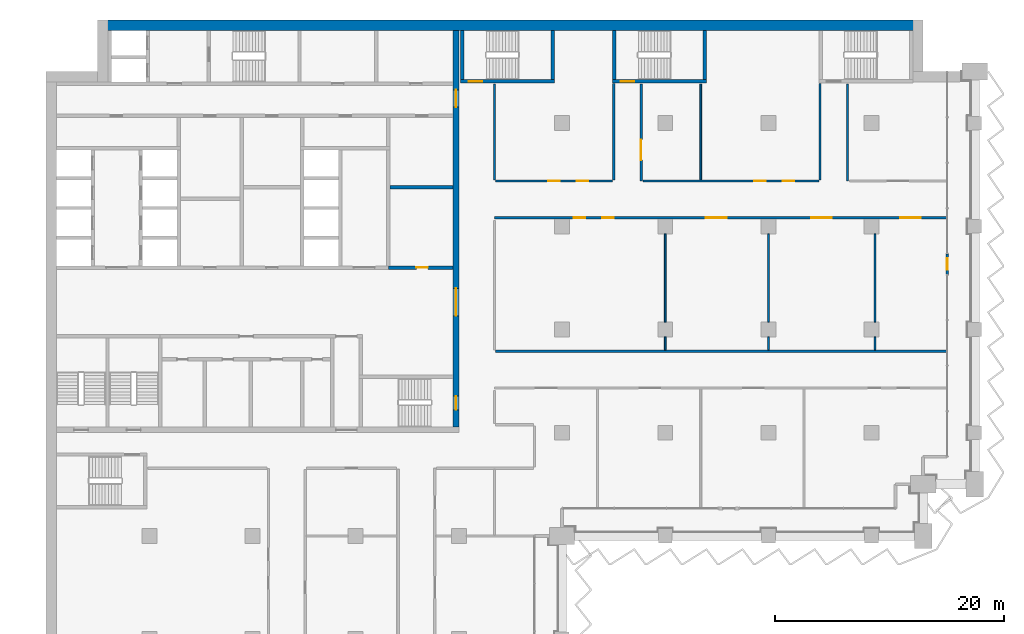
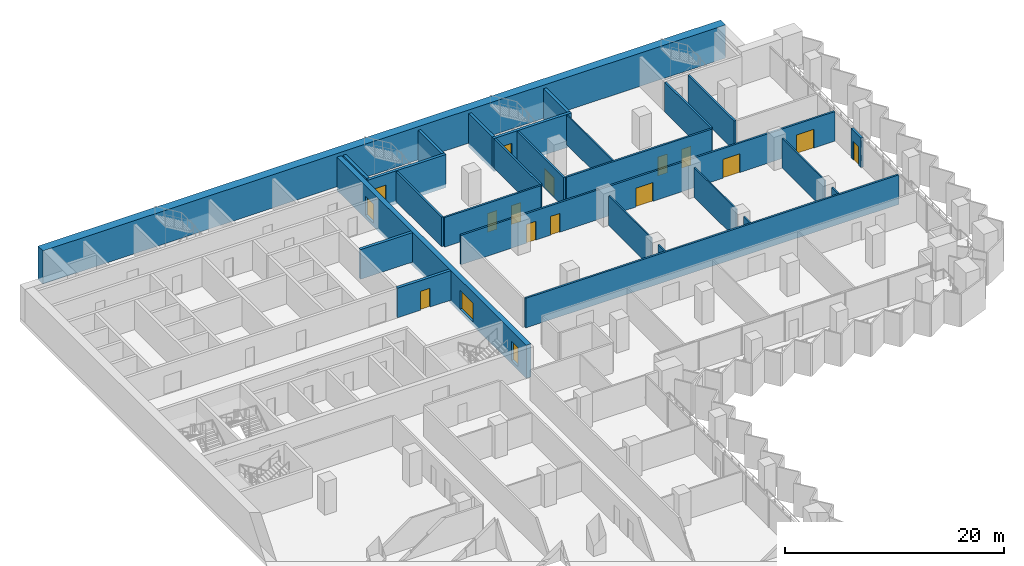
# One storey, part 14 of 22: 27 walls, 17 doors, 17 openings.
"""IFC4 building model written with IfcOpenShell, lengths in metres."""

from ifc_helpers import new_model, si_unit, direction, frame, frame_2d, origin, place, context, subcontext, project, spatial, rectangle, extrude, material, layer, layer_set, type_object, element, fill, save


model = new_model("IFC4")

# Units and contexts
model_context = context("Model", 3, precision=1e-05, world=origin(), true_north=direction((0.0, 1.0)))
body_context = subcontext(model_context, "Body", "Model", "MODEL_VIEW")
ifc_project = project(units=[si_unit("LENGTHUNIT", "METRE"), si_unit("AREAUNIT", "SQUARE_METRE"), si_unit("VOLUMEUNIT", "CUBIC_METRE"), si_unit("PLANEANGLEUNIT", "RADIAN"), si_unit("MASSUNIT", "GRAM", prefix="KILO")], contexts=[model_context])

# Site, building, storey
site_placement = place(None, origin())
site = spatial("IfcSite", under=ifc_project, at=site_placement, CompositionType="ELEMENT")
building_placement = place(site_placement, origin())
building = spatial("IfcBuilding", under=site, at=building_placement, Name="Hunhe Ridgeline Campus", CompositionType="ELEMENT")
storey_placement = place(building_placement, frame((0.0, 0.0, 92.199951171875)))
storey = spatial("IfcBuildingStorey", under=building, at=storey_placement, Name="L22", CompositionType="ELEMENT", Elevation=92.199951171875)

# Wall, opening, door
ifc_material_1 = material(Name="Masonry concrete blockwork", Category="masonry")
ifc_layer_1 = layer(ifc_material_1, 0.300048828125)
ifc_layer_set_1 = layer_set([ifc_layer_1], Name="Core room partition 300 concrete block")
wall_type_1 = type_object("IfcWallType", Name="Core room partition 300 concrete block", PredefinedType="PARTITIONING", material=ifc_layer_set_1)
wall_1_placement = place(storey_placement, frame((29.85009765625, 77.39990234375, 0.0), z_axis=(0.0, 0.0, 1.0), x_axis=(1.0, 0.0, 0.0)))
wall_1 = element("IfcWall", 1, at=wall_1_placement, inside=storey, type_object=wall_type_1, Name="L22 core partition 13", PredefinedType="PARTITIONING", context=body_context, shape_type="SweptSolid", body=[
    extrude(rectangle(XDim=5.64990234375, YDim=0.300048828125, at=frame_2d((2.824951171875, 0.0))), origin(), (0.0, 0.0, 1.0), 3.300048828125),
])
opening_1_placement = place(wall_1_placement, frame((2.449951171875, 0.0, 0.0)))
opening_1 = element("IfcOpeningElement", 2, at=opening_1_placement, cuts=wall_1, Name="Opening CD32", PredefinedType="OPENING", context=body_context, shape_type="SweptSolid", body=[
    extrude(rectangle(XDim=1.0, YDim=2.10009765625, at=frame_2d((0.5, 1.050048828125))), frame((0.0, 0.14990234375, 0.0), z_axis=(0.0, -1.0, 0.0), x_axis=(1.0, 0.0, 0.0)), (0.0, 0.0, 1.0), 0.300048828125),
])
ifc_material_2 = material(Name="Solid core timber door leaf", Category="wood")
door_type_1 = type_object("IfcDoorType", Name="Timber door 1000x2100", OperationType="SINGLE_SWING_LEFT", PredefinedType="DOOR", material=ifc_material_2)
door_1_placement = place(opening_1_placement, origin())
door_1 = element("IfcDoor", 3, at=door_1_placement, inside=storey, type_object=door_type_1, Name="L22 door ES0", OperationType="SINGLE_SWING_RIGHT", OverallHeight=2.10009765625, OverallWidth=1.0, PredefinedType="DOOR", context=body_context, shape_type="SweptSolid", body=[
    extrude(rectangle(XDim=1.0, YDim=2.10009765625, at=frame_2d((0.5, 1.050048828125))), frame((0.0, 0.02490234375, 0.0), z_axis=(0.0, -1.0, 0.0), x_axis=(1.0, 0.0, 0.0)), (0.0, 0.0, 1.0), 0.050048828125),
])
fill(opening_1, door_1)

# Wall
wall_2_placement = place(storey_placement, frame((30.0, 84.39990234375, 0.0), z_axis=(0.0, 0.0, 1.0), x_axis=(1.0, 0.0, 0.0)))
element("IfcWall", 4, at=wall_2_placement, inside=storey, type_object=wall_type_1, Name="L22 core partition 22", PredefinedType="PARTITIONING", context=body_context, shape_type="SweptSolid", body=[
    extrude(rectangle(XDim=5.5, YDim=0.300048828125, at=frame_2d((2.75, 0.0))), origin(), (0.0, 0.0, 1.0), 3.300048828125),
])

# Wall, openings, doors
ifc_material_3 = material(Name="Concrete C80", Category="concrete")
ifc_layer_2 = layer(ifc_material_3, 0.5)
ifc_layer_set_2 = layer_set([ifc_layer_2], Name="Core wall 500 reinforced concrete C80")
wall_type_2 = type_object("IfcWallType", Name="Core wall 500 reinforced concrete C80", PredefinedType="SOLIDWALL", material=ifc_layer_set_2)
wall_3_placement = place(storey_placement, frame((35.75, 63.5, -0.39990234375), z_axis=(0.0, 0.0, 1.0), x_axis=(0.0, 1.0, 0.0)))
wall_3 = element("IfcWall", 5, at=wall_3_placement, inside=storey, type_object=wall_type_2, Name="L22 core wall 61", PredefinedType="SOLIDWALL", context=body_context, shape_type="SweptSolid", body=[
    extrude(rectangle(XDim=34.60009765625, YDim=0.5, at=frame_2d((17.300048828125, 0.0))), origin(), (0.0, 0.0, 1.0), 3.699951171875),
])
opening_2_placement = place(wall_3_placement, frame((9.699951171875, 0.0, 0.39990234375)))
opening_2 = element("IfcOpeningElement", 6, at=opening_2_placement, cuts=wall_3, Name="Opening CD4", PredefinedType="OPENING", context=body_context, shape_type="SweptSolid", body=[
    extrude(rectangle(XDim=2.39990234375, YDim=2.10009765625, at=frame_2d((1.199951171875, 1.050048828125))), frame((0.0, 0.25, 0.0), z_axis=(0.0, -1.0, 0.0), x_axis=(1.0, 0.0, 0.0)), (0.0, 0.0, 1.0), 0.5),
])
opening_3_placement = place(wall_3_placement, frame((27.89990234375, 0.0, 0.39990234375)))
opening_3 = element("IfcOpeningElement", 7, at=opening_3_placement, cuts=wall_3, Name="Opening CD5", PredefinedType="OPENING", context=body_context, shape_type="SweptSolid", body=[
    extrude(rectangle(XDim=1.5, YDim=2.10009765625, at=frame_2d((0.75, 1.050048828125))), frame((0.0, 0.25, 0.0), z_axis=(0.0, -1.0, 0.0), x_axis=(1.0, 0.0, 0.0)), (0.0, 0.0, 1.0), 0.5),
])
opening_4_placement = place(wall_3_placement, frame((1.5, 0.0, 0.39990234375)))
opening_4 = element("IfcOpeningElement", 8, at=opening_4_placement, cuts=wall_3, Name="Opening CD15", PredefinedType="OPENING", context=body_context, shape_type="SweptSolid", body=[
    extrude(rectangle(XDim=1.199951171875, YDim=2.10009765625, at=frame_2d((0.60009765625, 1.050048828125))), frame((0.0, 0.25, 0.0), z_axis=(0.0, -1.0, 0.0), x_axis=(1.0, 0.0, 0.0)), (0.0, 0.0, 1.0), 0.5),
])
ifc_material_4 = material(Name="Anodised aluminium and glass", Category="aluminium")
door_type_2 = type_object("IfcDoorType", Name="Glazed double door 2400x2100", OperationType="DOUBLE_DOOR_SINGLE_SWING", PredefinedType="DOOR", material=ifc_material_4)
door_2_placement = place(opening_2_placement, frame((2.39990234375, 0.0, 0.0), z_axis=(0.0, 0.0, 1.0), x_axis=(-1.0, 0.0, 0.0)))
door_2 = element("IfcDoor", 9, at=door_2_placement, inside=storey, type_object=door_type_2, Name="L22 door HALL-FLOOR", OperationType="DOUBLE_DOOR_SINGLE_SWING", OverallHeight=2.10009765625, OverallWidth=2.39990234375, PredefinedType="DOOR", context=body_context, shape_type="SweptSolid", body=[
    extrude(rectangle(XDim=2.39990234375, YDim=2.10009765625, at=frame_2d((1.199951171875, 1.050048828125))), frame((0.0, 0.02490234375, 0.0), z_axis=(0.0, -1.0, 0.0), x_axis=(1.0, 0.0, 0.0)), (0.0, 0.0, 1.0), 0.050048828125),
])
fill(opening_2, door_2)
ifc_material_5 = material(Name="Hollow metal fire door leaf")
door_type_3 = type_object("IfcDoorType", Name="Stair door 1200x2100 FD60", OperationType="SINGLE_SWING_LEFT", PredefinedType="DOOR", material=ifc_material_5)
door_3_placement = place(opening_4_placement, frame((1.199951171875, 0.0, 0.0), z_axis=(0.0, 0.0, 1.0), x_axis=(-1.0, 0.0, 0.0)))
door_3 = element("IfcDoor", 10, at=door_3_placement, inside=storey, type_object=door_type_3, Name="L22 door S2-FLOOR", OperationType="SINGLE_SWING_RIGHT", OverallHeight=2.10009765625, OverallWidth=1.199951171875, PredefinedType="DOOR", context=body_context, shape_type="SweptSolid", body=[
    extrude(rectangle(XDim=1.199951171875, YDim=2.10009765625, at=frame_2d((0.60009765625, 1.050048828125))), frame((0.0, 0.02490234375, 0.0), z_axis=(0.0, -1.0, 0.0), x_axis=(1.0, 0.0, 0.0)), (0.0, 0.0, 1.0), 0.050048828125),
])
fill(opening_4, door_3)
door_type_4 = type_object("IfcDoorType", Name="Timber door 1500x2100", OperationType="SINGLE_SWING_LEFT", PredefinedType="DOOR", material=ifc_material_2)
door_4_placement = place(opening_3_placement, frame((1.5, 0.0, 0.0), z_axis=(0.0, 0.0, 1.0), x_axis=(-1.0, 0.0, 0.0)))
door_4 = element("IfcDoor", 11, at=door_4_placement, inside=storey, type_object=door_type_4, Name="L22 door C1-FLOOR", OperationType="SINGLE_SWING_RIGHT", OverallHeight=2.10009765625, OverallWidth=1.5, PredefinedType="DOOR", context=body_context, shape_type="SweptSolid", body=[
    extrude(rectangle(XDim=1.5, YDim=2.10009765625, at=frame_2d((0.75, 1.050048828125))), frame((0.0, 0.02490234375, 0.0), z_axis=(0.0, -1.0, 0.0), x_axis=(1.0, 0.0, 0.0)), (0.0, 0.0, 1.0), 0.050048828125),
])
fill(opening_3, door_4)

# Wall
ifc_material_6 = material(Name="Gypsum board partition")
ifc_layer_3 = layer(ifc_material_6, 0.199951171875)
ifc_layer_set_3 = layer_set([ifc_layer_3], Name="Corridor partition 200 gypsum board on steel studs")
wall_type_3 = type_object("IfcWallType", Name="Corridor partition 200 gypsum board on steel studs", PredefinedType="PARTITIONING", material=ifc_layer_set_3)
wall_4_placement = place(storey_placement, frame((39.199951171875, 70.10009765625, 0.0), z_axis=(0.0, 0.0, 1.0), x_axis=(1.0, 0.0, 0.0)))
element("IfcWall", 12, at=wall_4_placement, inside=storey, type_object=wall_type_3, Name="F-L22-wall-039", PredefinedType="PARTITIONING", context=body_context, shape_type="SweptSolid", body=[
    extrude(rectangle(XDim=39.344970703125, YDim=0.199951171875, at=frame_2d((19.67236328125, 0.0))), origin(), (0.0, 0.0, 1.0), 3.300048828125),
])

# Wall, openings, doors
wall_5_placement = place(storey_placement, frame((78.544921875, 81.75, 0.0), z_axis=(0.0, 0.0, 1.0), x_axis=(-1.0, 0.0, 0.0)))
wall_5 = element("IfcWall", 13, at=wall_5_placement, inside=storey, type_object=wall_type_3, Name="F-L22-wall-040", PredefinedType="PARTITIONING", context=body_context, shape_type="SweptSolid", body=[
    extrude(rectangle(XDim=39.44482421875, YDim=0.199951171875, at=frame_2d((19.722412109375, 0.0))), origin(), (0.0, 0.0, 1.0), 3.300048828125),
])
opening_5_placement = place(wall_5_placement, frame((31.533447265625, 0.0, 0.0)))
opening_5 = element("IfcOpeningElement", 14, at=opening_5_placement, cuts=wall_5, Name="Opening RD1-027", PredefinedType="OPENING", context=body_context, shape_type="SweptSolid", body=[
    extrude(rectangle(XDim=1.0, YDim=2.10009765625, at=frame_2d((0.5, 1.050048828125))), frame((0.0, 0.10009765625, 0.0), z_axis=(0.0, -1.0, 0.0), x_axis=(1.0, 0.0, 0.0)), (0.0, 0.0, 1.0), 0.199951171875),
])
opening_6_placement = place(wall_5_placement, frame((29.033447265625, 0.0, 0.0)))
opening_6 = element("IfcOpeningElement", 15, at=opening_6_placement, cuts=wall_5, Name="Opening RD1-028", PredefinedType="OPENING", context=body_context, shape_type="SweptSolid", body=[
    extrude(rectangle(XDim=1.0, YDim=2.10009765625, at=frame_2d((0.5, 1.050048828125))), frame((0.0, 0.10009765625, 0.0), z_axis=(0.0, -1.0, 0.0), x_axis=(1.0, 0.0, 0.0)), (0.0, 0.0, 1.0), 0.199951171875),
])
opening_7_placement = place(wall_5_placement, frame((19.199462890625, 0.0, 0.0)))
opening_7 = element("IfcOpeningElement", 16, at=opening_7_placement, cuts=wall_5, Name="Opening RD2-029", PredefinedType="OPENING", context=body_context, shape_type="SweptSolid", body=[
    extrude(rectangle(XDim=1.800048828125, YDim=2.10009765625, at=frame_2d((0.89990234375, 1.050048828125))), frame((0.0, 0.10009765625, 0.0), z_axis=(0.0, -1.0, 0.0), x_axis=(1.0, 0.0, 0.0)), (0.0, 0.0, 1.0), 0.199951171875),
])
opening_8_placement = place(wall_5_placement, frame((10.029052734375, 0.0, 0.0)))
opening_8 = element("IfcOpeningElement", 17, at=opening_8_placement, cuts=wall_5, Name="Opening RD2-030", PredefinedType="OPENING", context=body_context, shape_type="SweptSolid", body=[
    extrude(rectangle(XDim=1.800048828125, YDim=2.10009765625, at=frame_2d((0.89990234375, 1.050048828125))), frame((0.0, 0.10009765625, 0.0), z_axis=(0.0, -1.0, 0.0), x_axis=(1.0, 0.0, 0.0)), (0.0, 0.0, 1.0), 0.199951171875),
])
opening_9_placement = place(wall_5_placement, frame((2.240478515625, 0.0, 0.0)))
opening_9 = element("IfcOpeningElement", 18, at=opening_9_placement, cuts=wall_5, Name="Opening RD2-031", PredefinedType="OPENING", context=body_context, shape_type="SweptSolid", body=[
    extrude(rectangle(XDim=1.800048828125, YDim=2.10009765625, at=frame_2d((0.89990234375, 1.050048828125))), frame((0.0, 0.10009765625, 0.0), z_axis=(0.0, -1.0, 0.0), x_axis=(1.0, 0.0, 0.0)), (0.0, 0.0, 1.0), 0.199951171875),
])
ifc_material_7 = material(Name="Timber door leaf", Category="wood")
door_type_5 = type_object("IfcDoorType", Name="Double fire door 1800x2100 timber FD60", OperationType="DOUBLE_DOOR_SINGLE_SWING", PredefinedType="DOOR", material=ifc_material_7)
door_5_placement = place(opening_7_placement, origin())
door_5 = element("IfcDoor", 19, at=door_5_placement, inside=storey, type_object=door_type_5, Name="F-L22-door-029", OperationType="DOUBLE_DOOR_SINGLE_SWING", OverallHeight=2.10009765625, OverallWidth=1.800048828125, PredefinedType="DOOR", context=body_context, shape_type="SweptSolid", body=[
    extrude(rectangle(XDim=1.800048828125, YDim=2.10009765625, at=frame_2d((0.89990234375, 1.050048828125))), frame((0.0, 0.02490234375, 0.0), z_axis=(0.0, -1.0, 0.0), x_axis=(1.0, 0.0, 0.0)), (0.0, 0.0, 1.0), 0.050048828125),
])
fill(opening_7, door_5)
door_6_placement = place(opening_8_placement, origin())
door_6 = element("IfcDoor", 20, at=door_6_placement, inside=storey, type_object=door_type_5, Name="F-L22-door-030", OperationType="DOUBLE_DOOR_SINGLE_SWING", OverallHeight=2.10009765625, OverallWidth=1.800048828125, PredefinedType="DOOR", context=body_context, shape_type="SweptSolid", body=[
    extrude(rectangle(XDim=1.800048828125, YDim=2.10009765625, at=frame_2d((0.89990234375, 1.050048828125))), frame((0.0, 0.02490234375, 0.0), z_axis=(0.0, -1.0, 0.0), x_axis=(1.0, 0.0, 0.0)), (0.0, 0.0, 1.0), 0.050048828125),
])
fill(opening_8, door_6)
door_7_placement = place(opening_9_placement, origin())
door_7 = element("IfcDoor", 21, at=door_7_placement, inside=storey, type_object=door_type_5, Name="F-L22-door-031", OperationType="DOUBLE_DOOR_SINGLE_SWING", OverallHeight=2.10009765625, OverallWidth=1.800048828125, PredefinedType="DOOR", context=body_context, shape_type="SweptSolid", body=[
    extrude(rectangle(XDim=1.800048828125, YDim=2.10009765625, at=frame_2d((0.89990234375, 1.050048828125))), frame((0.0, 0.02490234375, 0.0), z_axis=(0.0, -1.0, 0.0), x_axis=(1.0, 0.0, 0.0)), (0.0, 0.0, 1.0), 0.050048828125),
])
fill(opening_9, door_7)
door_type_6 = type_object("IfcDoorType", Name="Single fire door 1000x2100 timber FD60", OperationType="NOTDEFINED", PredefinedType="DOOR", material=ifc_material_7)
door_8_placement = place(opening_5_placement, frame((1.0, 0.0, 0.0), z_axis=(0.0, 0.0, 1.0), x_axis=(-1.0, 0.0, 0.0)))
door_8 = element("IfcDoor", 22, at=door_8_placement, inside=storey, type_object=door_type_6, Name="F-L22-door-027", OperationType="SINGLE_SWING_LEFT", OverallHeight=2.10009765625, OverallWidth=1.0, PredefinedType="DOOR", context=body_context, shape_type="SweptSolid", body=[
    extrude(rectangle(XDim=1.0, YDim=2.10009765625, at=frame_2d((0.5, 1.050048828125))), frame((0.0, 0.02490234375, 0.0), z_axis=(0.0, -1.0, 0.0), x_axis=(1.0, 0.0, 0.0)), (0.0, 0.0, 1.0), 0.050048828125),
])
fill(opening_5, door_8)
door_9_placement = place(opening_6_placement, frame((1.0, 0.0, 0.0), z_axis=(0.0, 0.0, 1.0), x_axis=(-1.0, 0.0, 0.0)))
door_9 = element("IfcDoor", 23, at=door_9_placement, inside=storey, type_object=door_type_6, Name="F-L22-door-028", OperationType="SINGLE_SWING_RIGHT", OverallHeight=2.10009765625, OverallWidth=1.0, PredefinedType="DOOR", context=body_context, shape_type="SweptSolid", body=[
    extrude(rectangle(XDim=1.0, YDim=2.10009765625, at=frame_2d((0.5, 1.050048828125))), frame((0.0, 0.02490234375, 0.0), z_axis=(0.0, -1.0, 0.0), x_axis=(1.0, 0.0, 0.0)), (0.0, 0.0, 1.0), 0.050048828125),
])
fill(opening_6, door_9)

wall_6_placement = place(storey_placement, frame((39.199951171875, 84.949951171875, 0.0), z_axis=(0.0, 0.0, 1.0), x_axis=(1.0, 0.0, 0.0)))
wall_6 = element("IfcWall", 24, at=wall_6_placement, inside=storey, type_object=wall_type_3, Name="F-L22-wall-041", PredefinedType="PARTITIONING", context=body_context, shape_type="SweptSolid", body=[
    extrude(rectangle(XDim=10.199951171875, YDim=0.199951171875, at=frame_2d((5.10009765625, 0.0))), origin(), (0.0, 0.0, 1.0), 3.300048828125),
])
opening_10_placement = place(wall_6_placement, frame((4.60009765625, 0.0, 0.0)))
opening_10 = element("IfcOpeningElement", 25, at=opening_10_placement, cuts=wall_6, Name="Opening RD1-032", PredefinedType="OPENING", context=body_context, shape_type="SweptSolid", body=[
    extrude(rectangle(XDim=1.0, YDim=2.10009765625, at=frame_2d((0.5, 1.050048828125))), frame((0.0, 0.10009765625, 0.0), z_axis=(0.0, -1.0, 0.0), x_axis=(1.0, 0.0, 0.0)), (0.0, 0.0, 1.0), 0.199951171875),
])
opening_11_placement = place(wall_6_placement, frame((7.10009765625, 0.0, 0.0)))
opening_11 = element("IfcOpeningElement", 26, at=opening_11_placement, cuts=wall_6, Name="Opening RD1-033", PredefinedType="OPENING", context=body_context, shape_type="SweptSolid", body=[
    extrude(rectangle(XDim=1.0, YDim=2.10009765625, at=frame_2d((0.5, 1.050048828125))), frame((0.0, 0.10009765625, 0.0), z_axis=(0.0, -1.0, 0.0), x_axis=(1.0, 0.0, 0.0)), (0.0, 0.0, 1.0), 0.199951171875),
])
door_10_placement = place(opening_10_placement, frame((1.0, 0.0, 0.0), z_axis=(0.0, 0.0, 1.0), x_axis=(-1.0, 0.0, 0.0)))
door_10 = element("IfcDoor", 27, at=door_10_placement, inside=storey, type_object=door_type_6, Name="F-L22-door-032", OperationType="SINGLE_SWING_LEFT", OverallHeight=2.10009765625, OverallWidth=1.0, PredefinedType="DOOR", context=body_context, shape_type="SweptSolid", body=[
    extrude(rectangle(XDim=1.0, YDim=2.10009765625, at=frame_2d((0.5, 1.050048828125))), frame((0.0, 0.02490234375, 0.0), z_axis=(0.0, -1.0, 0.0), x_axis=(1.0, 0.0, 0.0)), (0.0, 0.0, 1.0), 0.050048828125),
])
fill(opening_10, door_10)
door_11_placement = place(opening_11_placement, frame((1.0, 0.0, 0.0), z_axis=(0.0, 0.0, 1.0), x_axis=(-1.0, 0.0, 0.0)))
door_11 = element("IfcDoor", 28, at=door_11_placement, inside=storey, type_object=door_type_6, Name="F-L22-door-033", OperationType="SINGLE_SWING_LEFT", OverallHeight=2.10009765625, OverallWidth=1.0, PredefinedType="DOOR", context=body_context, shape_type="SweptSolid", body=[
    extrude(rectangle(XDim=1.0, YDim=2.10009765625, at=frame_2d((0.5, 1.050048828125))), frame((0.0, 0.02490234375, 0.0), z_axis=(0.0, -1.0, 0.0), x_axis=(1.0, 0.0, 0.0)), (0.0, 0.0, 1.0), 0.050048828125),
])
fill(opening_11, door_11)

wall_7_placement = place(storey_placement, frame((52.081787109375, 84.949951171875, 0.0), z_axis=(0.0, 0.0, 1.0), x_axis=(1.0, 0.0, 0.0)))
wall_7 = element("IfcWall", 29, at=wall_7_placement, inside=storey, type_object=wall_type_3, Name="F-L22-wall-042", PredefinedType="PARTITIONING", context=body_context, shape_type="SweptSolid", body=[
    extrude(rectangle(XDim=15.318115234375, YDim=0.199951171875, at=frame_2d((7.6591796875, 0.0))), origin(), (0.0, 0.0, 1.0), 3.300048828125),
])
opening_12_placement = place(wall_7_placement, frame((9.670166015625, 0.0, 0.0)))
opening_12 = element("IfcOpeningElement", 30, at=opening_12_placement, cuts=wall_7, Name="Opening RD1-034", PredefinedType="OPENING", context=body_context, shape_type="SweptSolid", body=[
    extrude(rectangle(XDim=1.0, YDim=2.10009765625, at=frame_2d((0.5, 1.050048828125))), frame((0.0, 0.10009765625, 0.0), z_axis=(0.0, -1.0, 0.0), x_axis=(1.0, 0.0, 0.0)), (0.0, 0.0, 1.0), 0.199951171875),
])
opening_13_placement = place(wall_7_placement, frame((12.170166015625, 0.0, 0.0)))
opening_13 = element("IfcOpeningElement", 31, at=opening_13_placement, cuts=wall_7, Name="Opening RD1-035", PredefinedType="OPENING", context=body_context, shape_type="SweptSolid", body=[
    extrude(rectangle(XDim=1.0, YDim=2.10009765625, at=frame_2d((0.5, 1.050048828125))), frame((0.0, 0.10009765625, 0.0), z_axis=(0.0, -1.0, 0.0), x_axis=(1.0, 0.0, 0.0)), (0.0, 0.0, 1.0), 0.199951171875),
])
door_12_placement = place(opening_12_placement, frame((1.0, 0.0, 0.0), z_axis=(0.0, 0.0, 1.0), x_axis=(-1.0, 0.0, 0.0)))
door_12 = element("IfcDoor", 32, at=door_12_placement, inside=storey, type_object=door_type_6, Name="F-L22-door-034", OperationType="SINGLE_SWING_LEFT", OverallHeight=2.10009765625, OverallWidth=1.0, PredefinedType="DOOR", context=body_context, shape_type="SweptSolid", body=[
    extrude(rectangle(XDim=1.0, YDim=2.10009765625, at=frame_2d((0.5, 1.050048828125))), frame((0.0, 0.02490234375, 0.0), z_axis=(0.0, -1.0, 0.0), x_axis=(1.0, 0.0, 0.0)), (0.0, 0.0, 1.0), 0.050048828125),
])
fill(opening_12, door_12)
door_13_placement = place(opening_13_placement, frame((1.0, 0.0, 0.0), z_axis=(0.0, 0.0, 1.0), x_axis=(-1.0, 0.0, 0.0)))
door_13 = element("IfcDoor", 33, at=door_13_placement, inside=storey, type_object=door_type_6, Name="F-L22-door-035", OperationType="SINGLE_SWING_LEFT", OverallHeight=2.10009765625, OverallWidth=1.0, PredefinedType="DOOR", context=body_context, shape_type="SweptSolid", body=[
    extrude(rectangle(XDim=1.0, YDim=2.10009765625, at=frame_2d((0.5, 1.050048828125))), frame((0.0, 0.02490234375, 0.0), z_axis=(0.0, -1.0, 0.0), x_axis=(1.0, 0.0, 0.0)), (0.0, 0.0, 1.0), 0.050048828125),
])
fill(opening_13, door_13)

# Walls
wall_8_placement = place(storey_placement, frame((39.10009765625, 93.39599609375, 0.0), z_axis=(0.0, 0.0, 1.0), x_axis=(0.0, -1.0, 0.0)))
element("IfcWall", 34, at=wall_8_placement, inside=storey, type_object=wall_type_3, Name="F-L22-wall-058", PredefinedType="PARTITIONING", context=body_context, shape_type="SweptSolid", body=[
    extrude(rectangle(XDim=8.345947265625, YDim=0.199951171875, at=frame_2d((4.1728515625, 0.0))), origin(), (0.0, 0.0, 1.0), 3.300048828125),
])
wall_9_placement = place(storey_placement, frame((49.5, 85.050048828125, 0.0), z_axis=(0.0, 0.0, 1.0), x_axis=(0.0, 1.0, 0.0)))
element("IfcWall", 35, at=wall_9_placement, inside=storey, type_object=wall_type_3, Name="F-L22-wall-061", PredefinedType="PARTITIONING", context=body_context, shape_type="SweptSolid", body=[
    extrude(rectangle(XDim=8.419921875, YDim=0.199951171875, at=frame_2d((4.2099609375, 0.0))), origin(), (0.0, 0.0, 1.0), 3.300048828125),
])

# Wall, opening, door
wall_10_placement = place(storey_placement, frame((51.89990234375, 93.39599609375, 0.0), z_axis=(0.0, 0.0, 1.0), x_axis=(0.0, -1.0, 0.0)))
wall_10 = element("IfcWall", 36, at=wall_10_placement, inside=storey, type_object=wall_type_3, Name="F-L22-wall-062", PredefinedType="PARTITIONING", context=body_context, shape_type="SweptSolid", body=[
    extrude(rectangle(XDim=8.446044921875, YDim=0.199951171875, at=frame_2d((4.22314453125, 0.0))), origin(), (0.0, 0.0, 1.0), 3.300048828125),
])
opening_14_placement = place(wall_10_placement, frame((4.822998046875, 0.0, 0.0)))
opening_14 = element("IfcOpeningElement", 37, at=opening_14_placement, cuts=wall_10, Name="Opening RD2-037", PredefinedType="OPENING", context=body_context, shape_type="SweptSolid", body=[
    extrude(rectangle(XDim=1.800048828125, YDim=2.10009765625, at=frame_2d((0.89990234375, 1.050048828125))), frame((0.0, 0.10009765625, 0.0), z_axis=(0.0, -1.0, 0.0), x_axis=(1.0, 0.0, 0.0)), (0.0, 0.0, 1.0), 0.199951171875),
])
door_14_placement = place(opening_14_placement, origin())
door_14 = element("IfcDoor", 38, at=door_14_placement, inside=storey, type_object=door_type_5, Name="F-L22-door-037", OperationType="DOUBLE_DOOR_SINGLE_SWING", OverallHeight=2.10009765625, OverallWidth=1.800048828125, PredefinedType="DOOR", context=body_context, shape_type="SweptSolid", body=[
    extrude(rectangle(XDim=1.800048828125, YDim=2.10009765625, at=frame_2d((0.89990234375, 1.050048828125))), frame((0.0, 0.02490234375, 0.0), z_axis=(0.0, -1.0, 0.0), x_axis=(1.0, 0.0, 0.0)), (0.0, 0.0, 1.0), 0.050048828125),
])
fill(opening_14, door_14)

# Walls
wall_11_placement = place(storey_placement, frame((67.5, 85.050048828125, 0.0), z_axis=(0.0, 0.0, 1.0), x_axis=(0.0, 1.0, 0.0)))
element("IfcWall", 39, at=wall_11_placement, inside=storey, type_object=wall_type_3, Name="F-L22-wall-070", PredefinedType="PARTITIONING", context=body_context, shape_type="SweptSolid", body=[
    extrude(rectangle(XDim=8.419921875, YDim=0.199951171875, at=frame_2d((4.2099609375, 0.0))), origin(), (0.0, 0.0, 1.0), 3.300048828125),
])
wall_12_placement = place(storey_placement, frame((69.89990234375, 93.39599609375, 0.0), z_axis=(0.0, 0.0, 1.0), x_axis=(0.0, -1.0, 0.0)))
element("IfcWall", 40, at=wall_12_placement, inside=storey, type_object=wall_type_3, Name="F-L22-wall-071", PredefinedType="PARTITIONING", context=body_context, shape_type="SweptSolid", body=[
    extrude(rectangle(XDim=8.446044921875, YDim=0.199951171875, at=frame_2d((4.22314453125, 0.0))), origin(), (0.0, 0.0, 1.0), 3.300048828125),
])

# Wall, opening, door
ifc_material_8 = material(Name="Concrete C30", Category="concrete")
ifc_layer_4 = layer(ifc_material_8, 0.25)
ifc_layer_set_4 = layer_set([ifc_layer_4], Name="Loggia door pier wall 250 Concrete C30")
wall_type_4 = type_object("IfcWallType", Name="Loggia door pier wall 250 Concrete C30", PredefinedType="SOLIDWALL", material=ifc_layer_set_4)
wall_13_placement = place(storey_placement, frame((78.59912109375, 76.800537109375, 0.0), z_axis=(0.0, 0.0, 1.0), x_axis=(0.0, 1.0, 0.0)))
wall_13 = element("IfcWall", 41, at=wall_13_placement, inside=storey, type_object=wall_type_4, Name="Loggia door pier 5", PredefinedType="SOLIDWALL", context=body_context, shape_type="SweptSolid", body=[
    extrude(rectangle(XDim=1.800048828125, YDim=0.25, at=frame_2d((0.89990234375, 0.0))), origin(), (0.0, 0.0, 1.0), 3.300048828125),
])
opening_15_placement = place(wall_13_placement, frame((0.39990234375, 0.0, 0.0)))
opening_15 = element("IfcOpeningElement", 42, at=opening_15_placement, cuts=wall_13, Name="Opening BD207", PredefinedType="OPENING", context=body_context, shape_type="SweptSolid", body=[
    extrude(rectangle(XDim=1.0, YDim=2.10009765625, at=frame_2d((0.5, 1.050048828125))), frame((0.0, 0.125, 0.0), z_axis=(0.0, -1.0, 0.0), x_axis=(1.0, 0.0, 0.0)), (0.0, 0.0, 1.0), 0.25),
])
ifc_material_9 = material(Name="Aluminium 6063", Category="aluminium")
door_type_7 = type_object("IfcDoorType", Name="Loggia glazed door 1000x2100", OperationType="NOTDEFINED", PredefinedType="DOOR", material=ifc_material_9)
door_15_placement = place(opening_15_placement, frame((1.0, 0.0, 0.0), z_axis=(0.0, 0.0, 1.0), x_axis=(-1.0, 0.0, 0.0)))
door_15 = element("IfcDoor", 43, at=door_15_placement, inside=storey, type_object=door_type_7, Name="Loggia door BD207", OperationType="SINGLE_SWING_RIGHT", OverallHeight=2.10009765625, OverallWidth=1.0, PredefinedType="DOOR", context=body_context, shape_type="SweptSolid", body=[
    extrude(rectangle(XDim=1.0, YDim=2.10009765625, at=frame_2d((0.5, 1.050048828125))), frame((0.0, 0.02490234375, 0.0), z_axis=(0.0, -1.0, 0.0), x_axis=(1.0, 0.0, 0.0)), (0.0, 0.0, 1.0), 0.050048828125),
])
fill(opening_15, door_15)

# Walls
ifc_layer_5 = layer(ifc_material_6, 0.14990234375)
ifc_layer_set_5 = layer_set([ifc_layer_5], Name="Room partition 150 gypsum board on steel studs")
wall_type_5 = type_object("IfcWallType", Name="Room partition 150 gypsum board on steel studs", PredefinedType="PARTITIONING", material=ifc_layer_set_5)
wall_14_placement = place(storey_placement, frame((54.0, 71.35009765625, 0.0), z_axis=(0.0, 0.0, 1.0), x_axis=(0.0, -1.0, 0.0)))
element("IfcWall", 44, at=wall_14_placement, inside=storey, type_object=wall_type_5, Name="F-L22-wall-063", PredefinedType="PARTITIONING", context=body_context, shape_type="SweptSolid", body=[
    extrude(rectangle(XDim=1.150146484375, YDim=0.14990234375, at=frame_2d((0.5751953125, 0.0))), origin(), (0.0, 0.0, 1.0), 3.300048828125),
])
wall_15_placement = place(storey_placement, frame((54.0, 80.35009765625, 0.0), z_axis=(0.0, 0.0, 1.0), x_axis=(0.0, -1.0, 0.0)))
element("IfcWall", 45, at=wall_15_placement, inside=storey, type_object=wall_type_5, Name="F-L22-wall-064", PredefinedType="PARTITIONING", context=body_context, shape_type="SweptSolid", body=[
    extrude(rectangle(XDim=7.7001953125, YDim=0.14990234375, at=frame_2d((3.85009765625, 0.0))), origin(), (0.0, 0.0, 1.0), 3.300048828125),
])
wall_16_placement = place(storey_placement, frame((57.10009765625, 93.39599609375, 0.0), z_axis=(0.0, 0.0, 1.0), x_axis=(0.0, -1.0, 0.0)))
element("IfcWall", 46, at=wall_16_placement, inside=storey, type_object=wall_type_5, Name="F-L22-wall-066", PredefinedType="PARTITIONING", context=body_context, shape_type="SweptSolid", body=[
    extrude(rectangle(XDim=8.345947265625, YDim=0.14990234375, at=frame_2d((4.1728515625, 0.0))), origin(), (0.0, 0.0, 1.0), 3.300048828125),
])
wall_17_placement = place(storey_placement, frame((63.0, 71.35009765625, 0.0), z_axis=(0.0, 0.0, 1.0), x_axis=(0.0, -1.0, 0.0)))
element("IfcWall", 47, at=wall_17_placement, inside=storey, type_object=wall_type_5, Name="F-L22-wall-067", PredefinedType="PARTITIONING", context=body_context, shape_type="SweptSolid", body=[
    extrude(rectangle(XDim=1.150146484375, YDim=0.14990234375, at=frame_2d((0.5751953125, 0.0))), origin(), (0.0, 0.0, 1.0), 3.300048828125),
])
wall_18_placement = place(storey_placement, frame((63.0, 80.35009765625, 0.0), z_axis=(0.0, 0.0, 1.0), x_axis=(0.0, -1.0, 0.0)))
element("IfcWall", 48, at=wall_18_placement, inside=storey, type_object=wall_type_5, Name="F-L22-wall-068", PredefinedType="PARTITIONING", context=body_context, shape_type="SweptSolid", body=[
    extrude(rectangle(XDim=7.7001953125, YDim=0.14990234375, at=frame_2d((3.85009765625, 0.0))), origin(), (0.0, 0.0, 1.0), 3.300048828125),
])
wall_19_placement = place(storey_placement, frame((72.300048828125, 71.35009765625, 0.0), z_axis=(0.0, 0.0, 1.0), x_axis=(0.0, -1.0, 0.0)))
element("IfcWall", 49, at=wall_19_placement, inside=storey, type_object=wall_type_5, Name="F-L22-wall-072", PredefinedType="PARTITIONING", context=body_context, shape_type="SweptSolid", body=[
    extrude(rectangle(XDim=1.150146484375, YDim=0.14990234375, at=frame_2d((0.5751953125, 0.0))), origin(), (0.0, 0.0, 1.0), 3.300048828125),
])
wall_20_placement = place(storey_placement, frame((72.300048828125, 80.35009765625, 0.0), z_axis=(0.0, 0.0, 1.0), x_axis=(0.0, -1.0, 0.0)))
element("IfcWall", 50, at=wall_20_placement, inside=storey, type_object=wall_type_5, Name="F-L22-wall-073", PredefinedType="PARTITIONING", context=body_context, shape_type="SweptSolid", body=[
    extrude(rectangle(XDim=7.7001953125, YDim=0.14990234375, at=frame_2d((3.85009765625, 0.0))), origin(), (0.0, 0.0, 1.0), 3.300048828125),
])
ifc_material_10 = material(Name="Concrete C70", Category="concrete")
ifc_layer_6 = layer(ifc_material_10, 0.89990234375)
ifc_layer_set_6 = layer_set([ifc_layer_6], Name="Spine wall 900 Concrete C70")
wall_type_6 = type_object("IfcWallType", Name="Spine wall 900 Concrete C70", PredefinedType="SHEAR", material=ifc_layer_set_6)
wall_21_placement = place(storey_placement, frame((76.5, 98.550048828125, 0.0), z_axis=(0.0, 0.0, 1.0), x_axis=(-1.0, 0.0, 0.0)))
element("IfcWall", 51, at=wall_21_placement, inside=storey, type_object=wall_type_6, Name="Spine wall SW2-4 L22", PredefinedType="SHEAR", context=body_context, shape_type="SweptSolid", body=[
    extrude(rectangle(XDim=72.0, YDim=0.89990234375, at=frame_2d((36.0, 0.0))), origin(), (0.0, 0.0, 1.0), 3.699951171875),
])

# Wall, opening, door
ifc_layer_7 = layer(ifc_material_3, 0.300048828125)
ifc_layer_set_7 = layer_set([ifc_layer_7], Name="Stair wall 300 reinforced concrete C80")
wall_type_7 = type_object("IfcWallType", Name="Stair wall 300 reinforced concrete C80", PredefinedType="SOLIDWALL", material=ifc_layer_set_7)
wall_22_placement = place(storey_placement, frame((36.14990234375, 93.64990234375, -0.39990234375), z_axis=(0.0, 0.0, 1.0), x_axis=(1.0, 0.0, 0.0)))
wall_22 = element("IfcWall", 52, at=wall_22_placement, inside=storey, type_object=wall_type_7, Name="L22 core wall 30", PredefinedType="SOLIDWALL", context=body_context, shape_type="SweptSolid", body=[
    extrude(rectangle(XDim=8.2001953125, YDim=0.300048828125, at=frame_2d((4.10009765625, 0.0))), origin(), (0.0, 0.0, 1.0), 3.699951171875),
])
opening_16_placement = place(wall_22_placement, frame((0.699951171875, 0.0, 0.39990234375)))
opening_16 = element("IfcOpeningElement", 53, at=opening_16_placement, cuts=wall_22, Name="Opening CD17", PredefinedType="OPENING", context=body_context, shape_type="SweptSolid", body=[
    extrude(rectangle(XDim=1.199951171875, YDim=2.10009765625, at=frame_2d((0.60009765625, 1.050048828125))), frame((0.0, 0.14990234375, 0.0), z_axis=(0.0, -1.0, 0.0), x_axis=(1.0, 0.0, 0.0)), (0.0, 0.0, 1.0), 0.300048828125),
])
door_16_placement = place(opening_16_placement, frame((1.199951171875, 0.0, 0.0), z_axis=(0.0, 0.0, 1.0), x_axis=(-1.0, 0.0, 0.0)))
door_16 = element("IfcDoor", 54, at=door_16_placement, inside=storey, type_object=door_type_3, Name="L22 door E1", OperationType="SINGLE_SWING_RIGHT", OverallHeight=2.10009765625, OverallWidth=1.199951171875, PredefinedType="DOOR", context=body_context, shape_type="SweptSolid", body=[
    extrude(rectangle(XDim=1.199951171875, YDim=2.10009765625, at=frame_2d((0.60009765625, 1.050048828125))), frame((0.0, 0.02490234375, 0.0), z_axis=(0.0, -1.0, 0.0), x_axis=(1.0, 0.0, 0.0)), (0.0, 0.0, 1.0), 0.050048828125),
])
fill(opening_16, door_16)

wall_23_placement = place(storey_placement, frame((49.39990234375, 93.64990234375, -0.39990234375), z_axis=(0.0, 0.0, 1.0), x_axis=(1.0, 0.0, 0.0)))
wall_23 = element("IfcWall", 55, at=wall_23_placement, inside=storey, type_object=wall_type_7, Name="L22 core wall 31", PredefinedType="SOLIDWALL", context=body_context, shape_type="SweptSolid", body=[
    extrude(rectangle(XDim=8.2001953125, YDim=0.300048828125, at=frame_2d((4.10009765625, 0.0))), origin(), (0.0, 0.0, 1.0), 3.699951171875),
])
opening_17_placement = place(wall_23_placement, frame((0.699951171875, 0.0, 0.39990234375)))
opening_17 = element("IfcOpeningElement", 56, at=opening_17_placement, cuts=wall_23, Name="Opening CD18", PredefinedType="OPENING", context=body_context, shape_type="SweptSolid", body=[
    extrude(rectangle(XDim=1.199951171875, YDim=2.10009765625, at=frame_2d((0.60009765625, 1.050048828125))), frame((0.0, 0.14990234375, 0.0), z_axis=(0.0, -1.0, 0.0), x_axis=(1.0, 0.0, 0.0)), (0.0, 0.0, 1.0), 0.300048828125),
])
door_17_placement = place(opening_17_placement, frame((1.199951171875, 0.0, 0.0), z_axis=(0.0, 0.0, 1.0), x_axis=(-1.0, 0.0, 0.0)))
door_17 = element("IfcDoor", 57, at=door_17_placement, inside=storey, type_object=door_type_3, Name="L22 door E2", OperationType="SINGLE_SWING_LEFT", OverallHeight=2.10009765625, OverallWidth=1.199951171875, PredefinedType="DOOR", context=body_context, shape_type="SweptSolid", body=[
    extrude(rectangle(XDim=1.199951171875, YDim=2.10009765625, at=frame_2d((0.60009765625, 1.050048828125))), frame((0.0, 0.02490234375, 0.0), z_axis=(0.0, -1.0, 0.0), x_axis=(1.0, 0.0, 0.0)), (0.0, 0.0, 1.0), 0.050048828125),
])
fill(opening_17, door_17)

# Walls
for number, where, z_axis, x_axis, name in (
    (58, (36.300048828125, 93.800048828125, -0.39990234375), (0.0, 0.0, 1.0), (0.0, 1.0, 0.0), "L22 core wall 62"),
    (59, (44.199951171875, 93.800048828125, -0.39990234375), (0.0, 0.0, 1.0), (0.0, 1.0, 0.0), "L22 core wall 63"),
    (60, (49.550048828125, 93.800048828125, -0.39990234375), (0.0, 0.0, 1.0), (0.0, 1.0, 0.0), "L22 core wall 64"),
    (61, (57.449951171875, 93.800048828125, -0.39990234375), (0.0, 0.0, 1.0), (0.0, 1.0, 0.0), "L22 core wall 65"),
):
    element("IfcWall", number, at=place(storey_placement, frame(where, z_axis=z_axis, x_axis=x_axis)), inside=storey, type_object=wall_type_7, Name=name, PredefinedType="SOLIDWALL", context=body_context, shape_type="SweptSolid", body=[
        extrude(rectangle(XDim=4.300048828125, YDim=0.300048828125, at=frame_2d((2.14990234375, 0.0))), origin(), (0.0, 0.0, 1.0), 3.699951171875),
    ])

save(model, "model.ifc")
